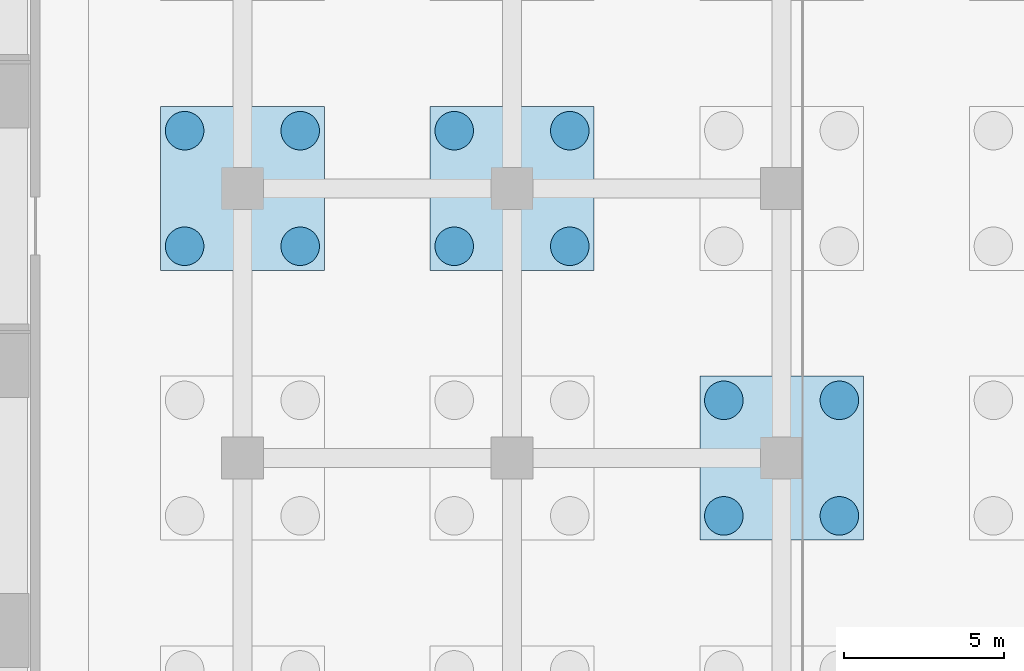
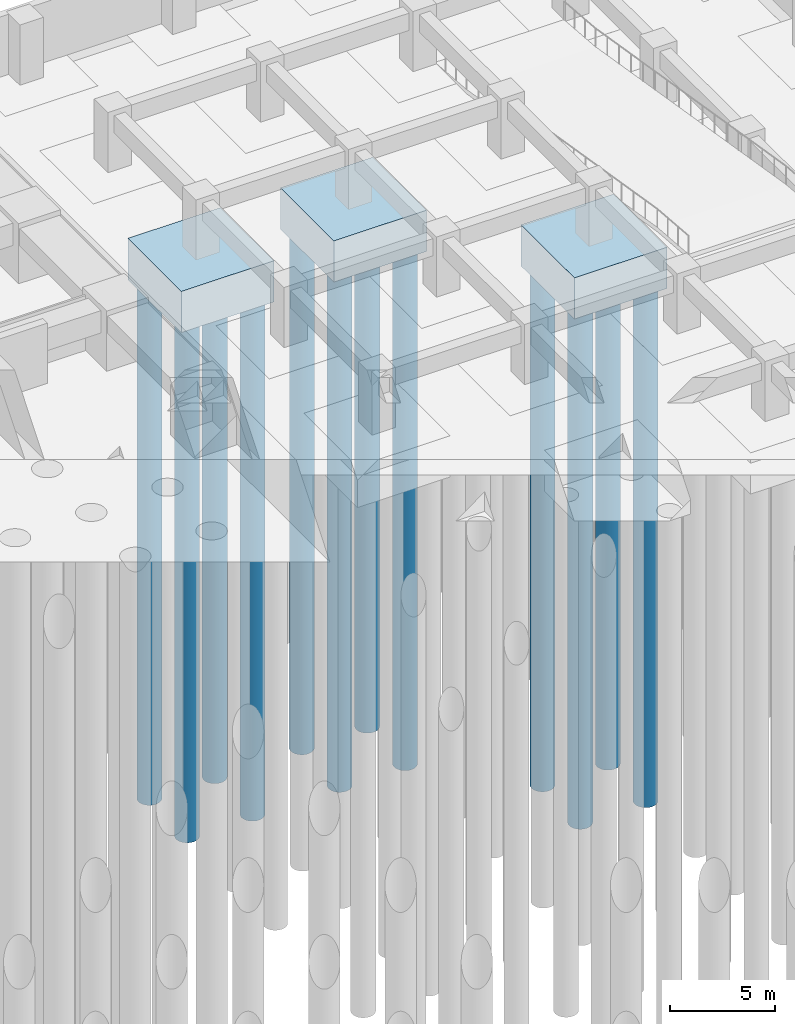
# One storey, part 42 of 73: 12 piles, 3 footings.
"""IFC4 building model written with IfcOpenShell, lengths in metres."""

from ifc_helpers import new_model, si_unit, direction, frame, origin, origin_2d, place, context, subcontext, project, spatial, polyline, circle, outline, extrude, material, material_profile, profile_set, type_object, element, save


model = new_model("IFC4")

# Units and contexts
model_context = context("Model", 3, precision=1e-05, world=origin(), true_north=direction((0.0, 1.0)))
body_context = subcontext(model_context, "Body", "Model", "MODEL_VIEW")
ifc_project = project(units=[si_unit("LENGTHUNIT", "METRE"), si_unit("AREAUNIT", "SQUARE_METRE"), si_unit("VOLUMEUNIT", "CUBIC_METRE"), si_unit("PLANEANGLEUNIT", "RADIAN"), si_unit("MASSUNIT", "GRAM", prefix="KILO")], contexts=[model_context])

# Site, building, storey
site_placement = place(None, origin())
site = spatial("IfcSite", under=ifc_project, at=site_placement, CompositionType="ELEMENT")
building_placement = place(site_placement, origin())
building = spatial("IfcBuilding", under=site, at=building_placement, Name="Impinga Residences", CompositionType="ELEMENT")
storey_placement = place(building_placement, frame((0.0, 0.0, -10.5)))
storey = spatial("IfcBuildingStorey", under=building, at=storey_placement, Name="B3", CompositionType="ELEMENT", Elevation=-10.5)

# Piles
ifc_material_1 = material(Name="Concrete C35/45", Category="concrete")
ifc_material_profile = material_profile(ifc_material_1, circle(Radius=0.60009765625, at=origin_2d()), Name="D1200")
ifc_profile_set = profile_set([ifc_material_profile], Name="Concrete C35/45")
pile_type = type_object("IfcPileType", Name="BP2 bored pile D1200", PredefinedType="BORED", material=ifc_profile_set)
pile_1_placement = place(storey_placement, frame((15.0, 31.800048828125, -2.39990234375), z_axis=(0.0, 0.0, -1.0), x_axis=(1.0, 0.0, 0.0)))
element("IfcPile", 1, at=pile_1_placement, inside=storey, type_object=pile_type, Name="Cap pile BP2 9/K-1", PredefinedType="BORED", context=body_context, shape_type="SweptSolid", body=[
    extrude(outline(polyline([(0.60009765625, 0.0), (0.59716796875, 0.058837890625), (0.58837890625, 0.116943359375), (0.57421875, 0.174072265625), (0.554443359375, 0.2294921875), (0.529052734375, 0.282958984375), (0.498779296875, 0.333251953125), (0.4638671875, 0.380615234375), (0.42431640625, 0.42431640625), (0.380615234375, 0.4638671875), (0.333251953125, 0.498779296875), (0.282958984375, 0.529052734375), (0.2294921875, 0.554443359375), (0.174072265625, 0.57421875), (0.116943359375, 0.58837890625), (0.058837890625, 0.59716796875), (0.0, 0.60009765625), (-0.058837890625, 0.59716796875), (-0.116943359375, 0.58837890625), (-0.174072265625, 0.57421875), (-0.2294921875, 0.554443359375), (-0.282958984375, 0.529052734375), (-0.333251953125, 0.498779296875), (-0.380615234375, 0.4638671875), (-0.42431640625, 0.42431640625), (-0.4638671875, 0.380615234375), (-0.498779296875, 0.333251953125), (-0.529052734375, 0.282958984375), (-0.554443359375, 0.2294921875), (-0.57421875, 0.174072265625), (-0.58837890625, 0.116943359375), (-0.59716796875, 0.058837890625), (-0.60009765625, 0.0), (-0.59716796875, -0.058837890625), (-0.58837890625, -0.116943359375), (-0.57421875, -0.174072265625), (-0.554443359375, -0.2294921875), (-0.529052734375, -0.282958984375), (-0.498779296875, -0.333251953125), (-0.4638671875, -0.380615234375), (-0.42431640625, -0.42431640625), (-0.380615234375, -0.4638671875), (-0.333251953125, -0.498779296875), (-0.282958984375, -0.529052734375), (-0.2294921875, -0.554443359375), (-0.174072265625, -0.57421875), (-0.116943359375, -0.58837890625), (-0.058837890625, -0.59716796875), (0.0, -0.60009765625), (0.058837890625, -0.59716796875), (0.116943359375, -0.58837890625), (0.174072265625, -0.57421875), (0.2294921875, -0.554443359375), (0.282958984375, -0.529052734375), (0.333251953125, -0.498779296875), (0.380615234375, -0.4638671875), (0.42431640625, -0.42431640625), (0.4638671875, -0.380615234375), (0.498779296875, -0.333251953125), (0.529052734375, -0.282958984375), (0.554443359375, -0.2294921875), (0.57421875, -0.174072265625), (0.58837890625, -0.116943359375), (0.59716796875, -0.058837890625), (0.60009765625, 0.0)])), origin(), (0.0, 0.0, 1.0), 30.0),
])
pile_2_placement = place(storey_placement, frame((18.60009765625, 31.800048828125, -2.39990234375), z_axis=(0.0, 0.0, -1.0), x_axis=(1.0, 0.0, 0.0)))
element("IfcPile", 2, at=pile_2_placement, inside=storey, type_object=pile_type, Name="Cap pile BP2 9/K-2", PredefinedType="BORED", context=body_context, shape_type="SweptSolid", body=[
    extrude(outline(polyline([(0.60009765625, 0.0), (0.59716796875, 0.058837890625), (0.58837890625, 0.116943359375), (0.57421875, 0.174072265625), (0.554443359375, 0.2294921875), (0.529052734375, 0.282958984375), (0.498779296875, 0.333251953125), (0.4638671875, 0.380615234375), (0.42431640625, 0.42431640625), (0.380615234375, 0.4638671875), (0.333251953125, 0.498779296875), (0.282958984375, 0.529052734375), (0.2294921875, 0.554443359375), (0.174072265625, 0.57421875), (0.116943359375, 0.58837890625), (0.058837890625, 0.59716796875), (0.0, 0.60009765625), (-0.058837890625, 0.59716796875), (-0.116943359375, 0.58837890625), (-0.174072265625, 0.57421875), (-0.2294921875, 0.554443359375), (-0.282958984375, 0.529052734375), (-0.333251953125, 0.498779296875), (-0.380615234375, 0.4638671875), (-0.42431640625, 0.42431640625), (-0.4638671875, 0.380615234375), (-0.498779296875, 0.333251953125), (-0.529052734375, 0.282958984375), (-0.554443359375, 0.2294921875), (-0.57421875, 0.174072265625), (-0.58837890625, 0.116943359375), (-0.59716796875, 0.058837890625), (-0.60009765625, 0.0), (-0.59716796875, -0.058837890625), (-0.58837890625, -0.116943359375), (-0.57421875, -0.174072265625), (-0.554443359375, -0.2294921875), (-0.529052734375, -0.282958984375), (-0.498779296875, -0.333251953125), (-0.4638671875, -0.380615234375), (-0.42431640625, -0.42431640625), (-0.380615234375, -0.4638671875), (-0.333251953125, -0.498779296875), (-0.282958984375, -0.529052734375), (-0.2294921875, -0.554443359375), (-0.174072265625, -0.57421875), (-0.116943359375, -0.58837890625), (-0.058837890625, -0.59716796875), (0.0, -0.60009765625), (0.058837890625, -0.59716796875), (0.116943359375, -0.58837890625), (0.174072265625, -0.57421875), (0.2294921875, -0.554443359375), (0.282958984375, -0.529052734375), (0.333251953125, -0.498779296875), (0.380615234375, -0.4638671875), (0.42431640625, -0.42431640625), (0.4638671875, -0.380615234375), (0.498779296875, -0.333251953125), (0.529052734375, -0.282958984375), (0.554443359375, -0.2294921875), (0.57421875, -0.174072265625), (0.58837890625, -0.116943359375), (0.59716796875, -0.058837890625), (0.60009765625, 0.0)])), origin(), (0.0, 0.0, 1.0), 30.0),
])
pile_3_placement = place(storey_placement, frame((18.60009765625, 35.39990234375, -2.39990234375), z_axis=(0.0, 0.0, -1.0), x_axis=(1.0, 0.0, 0.0)))
element("IfcPile", 3, at=pile_3_placement, inside=storey, type_object=pile_type, Name="Cap pile BP2 9/K-3", PredefinedType="BORED", context=body_context, shape_type="SweptSolid", body=[
    extrude(outline(polyline([(0.60009765625, 0.0), (0.59716796875, 0.058837890625), (0.58837890625, 0.116943359375), (0.57421875, 0.174072265625), (0.554443359375, 0.2294921875), (0.529052734375, 0.282958984375), (0.498779296875, 0.333251953125), (0.4638671875, 0.380615234375), (0.42431640625, 0.42431640625), (0.380615234375, 0.4638671875), (0.333251953125, 0.498779296875), (0.282958984375, 0.529052734375), (0.2294921875, 0.554443359375), (0.174072265625, 0.57421875), (0.116943359375, 0.58837890625), (0.058837890625, 0.59716796875), (0.0, 0.60009765625), (-0.058837890625, 0.59716796875), (-0.116943359375, 0.58837890625), (-0.174072265625, 0.57421875), (-0.2294921875, 0.554443359375), (-0.282958984375, 0.529052734375), (-0.333251953125, 0.498779296875), (-0.380615234375, 0.4638671875), (-0.42431640625, 0.42431640625), (-0.4638671875, 0.380615234375), (-0.498779296875, 0.333251953125), (-0.529052734375, 0.282958984375), (-0.554443359375, 0.2294921875), (-0.57421875, 0.174072265625), (-0.58837890625, 0.116943359375), (-0.59716796875, 0.058837890625), (-0.60009765625, 0.0), (-0.59716796875, -0.058837890625), (-0.58837890625, -0.116943359375), (-0.57421875, -0.174072265625), (-0.554443359375, -0.2294921875), (-0.529052734375, -0.282958984375), (-0.498779296875, -0.333251953125), (-0.4638671875, -0.380615234375), (-0.42431640625, -0.42431640625), (-0.380615234375, -0.4638671875), (-0.333251953125, -0.498779296875), (-0.282958984375, -0.529052734375), (-0.2294921875, -0.554443359375), (-0.174072265625, -0.57421875), (-0.116943359375, -0.58837890625), (-0.058837890625, -0.59716796875), (0.0, -0.60009765625), (0.058837890625, -0.59716796875), (0.116943359375, -0.58837890625), (0.174072265625, -0.57421875), (0.2294921875, -0.554443359375), (0.282958984375, -0.529052734375), (0.333251953125, -0.498779296875), (0.380615234375, -0.4638671875), (0.42431640625, -0.42431640625), (0.4638671875, -0.380615234375), (0.498779296875, -0.333251953125), (0.529052734375, -0.282958984375), (0.554443359375, -0.2294921875), (0.57421875, -0.174072265625), (0.58837890625, -0.116943359375), (0.59716796875, -0.058837890625), (0.60009765625, 0.0)])), origin(), (0.0, 0.0, 1.0), 30.0),
])
pile_4_placement = place(storey_placement, frame((15.0, 35.39990234375, -2.39990234375), z_axis=(0.0, 0.0, -1.0), x_axis=(1.0, 0.0, 0.0)))
element("IfcPile", 4, at=pile_4_placement, inside=storey, type_object=pile_type, Name="Cap pile BP2 9/K-4", PredefinedType="BORED", context=body_context, shape_type="SweptSolid", body=[
    extrude(outline(polyline([(0.60009765625, 0.0), (0.59716796875, 0.058837890625), (0.58837890625, 0.116943359375), (0.57421875, 0.174072265625), (0.554443359375, 0.2294921875), (0.529052734375, 0.282958984375), (0.498779296875, 0.333251953125), (0.4638671875, 0.380615234375), (0.42431640625, 0.42431640625), (0.380615234375, 0.4638671875), (0.333251953125, 0.498779296875), (0.282958984375, 0.529052734375), (0.2294921875, 0.554443359375), (0.174072265625, 0.57421875), (0.116943359375, 0.58837890625), (0.058837890625, 0.59716796875), (0.0, 0.60009765625), (-0.058837890625, 0.59716796875), (-0.116943359375, 0.58837890625), (-0.174072265625, 0.57421875), (-0.2294921875, 0.554443359375), (-0.282958984375, 0.529052734375), (-0.333251953125, 0.498779296875), (-0.380615234375, 0.4638671875), (-0.42431640625, 0.42431640625), (-0.4638671875, 0.380615234375), (-0.498779296875, 0.333251953125), (-0.529052734375, 0.282958984375), (-0.554443359375, 0.2294921875), (-0.57421875, 0.174072265625), (-0.58837890625, 0.116943359375), (-0.59716796875, 0.058837890625), (-0.60009765625, 0.0), (-0.59716796875, -0.058837890625), (-0.58837890625, -0.116943359375), (-0.57421875, -0.174072265625), (-0.554443359375, -0.2294921875), (-0.529052734375, -0.282958984375), (-0.498779296875, -0.333251953125), (-0.4638671875, -0.380615234375), (-0.42431640625, -0.42431640625), (-0.380615234375, -0.4638671875), (-0.333251953125, -0.498779296875), (-0.282958984375, -0.529052734375), (-0.2294921875, -0.554443359375), (-0.174072265625, -0.57421875), (-0.116943359375, -0.58837890625), (-0.058837890625, -0.59716796875), (0.0, -0.60009765625), (0.058837890625, -0.59716796875), (0.116943359375, -0.58837890625), (0.174072265625, -0.57421875), (0.2294921875, -0.554443359375), (0.282958984375, -0.529052734375), (0.333251953125, -0.498779296875), (0.380615234375, -0.4638671875), (0.42431640625, -0.42431640625), (0.4638671875, -0.380615234375), (0.498779296875, -0.333251953125), (0.529052734375, -0.282958984375), (0.554443359375, -0.2294921875), (0.57421875, -0.174072265625), (0.58837890625, -0.116943359375), (0.59716796875, -0.058837890625), (0.60009765625, 0.0)])), origin(), (0.0, 0.0, 1.0), 30.0),
])
pile_5_placement = place(storey_placement, frame((23.39990234375, 31.800048828125, -2.39990234375), z_axis=(0.0, 0.0, -1.0), x_axis=(1.0, 0.0, 0.0)))
element("IfcPile", 5, at=pile_5_placement, inside=storey, type_object=pile_type, Name="Cap pile BP2 10/K-1", PredefinedType="BORED", context=body_context, shape_type="SweptSolid", body=[
    extrude(outline(polyline([(0.60009765625, 0.0), (0.59716796875, 0.058837890625), (0.58837890625, 0.116943359375), (0.57421875, 0.174072265625), (0.554443359375, 0.2294921875), (0.529052734375, 0.282958984375), (0.498779296875, 0.333251953125), (0.4638671875, 0.380615234375), (0.42431640625, 0.42431640625), (0.380615234375, 0.4638671875), (0.333251953125, 0.498779296875), (0.282958984375, 0.529052734375), (0.2294921875, 0.554443359375), (0.174072265625, 0.57421875), (0.116943359375, 0.58837890625), (0.058837890625, 0.59716796875), (0.0, 0.60009765625), (-0.058837890625, 0.59716796875), (-0.116943359375, 0.58837890625), (-0.174072265625, 0.57421875), (-0.2294921875, 0.554443359375), (-0.282958984375, 0.529052734375), (-0.333251953125, 0.498779296875), (-0.380615234375, 0.4638671875), (-0.42431640625, 0.42431640625), (-0.4638671875, 0.380615234375), (-0.498779296875, 0.333251953125), (-0.529052734375, 0.282958984375), (-0.554443359375, 0.2294921875), (-0.57421875, 0.174072265625), (-0.58837890625, 0.116943359375), (-0.59716796875, 0.058837890625), (-0.60009765625, 0.0), (-0.59716796875, -0.058837890625), (-0.58837890625, -0.116943359375), (-0.57421875, -0.174072265625), (-0.554443359375, -0.2294921875), (-0.529052734375, -0.282958984375), (-0.498779296875, -0.333251953125), (-0.4638671875, -0.380615234375), (-0.42431640625, -0.42431640625), (-0.380615234375, -0.4638671875), (-0.333251953125, -0.498779296875), (-0.282958984375, -0.529052734375), (-0.2294921875, -0.554443359375), (-0.174072265625, -0.57421875), (-0.116943359375, -0.58837890625), (-0.058837890625, -0.59716796875), (0.0, -0.60009765625), (0.058837890625, -0.59716796875), (0.116943359375, -0.58837890625), (0.174072265625, -0.57421875), (0.2294921875, -0.554443359375), (0.282958984375, -0.529052734375), (0.333251953125, -0.498779296875), (0.380615234375, -0.4638671875), (0.42431640625, -0.42431640625), (0.4638671875, -0.380615234375), (0.498779296875, -0.333251953125), (0.529052734375, -0.282958984375), (0.554443359375, -0.2294921875), (0.57421875, -0.174072265625), (0.58837890625, -0.116943359375), (0.59716796875, -0.058837890625), (0.60009765625, 0.0)])), origin(), (0.0, 0.0, 1.0), 30.0),
])
pile_6_placement = place(storey_placement, frame((27.0, 31.800048828125, -2.39990234375), z_axis=(0.0, 0.0, -1.0), x_axis=(1.0, 0.0, 0.0)))
element("IfcPile", 6, at=pile_6_placement, inside=storey, type_object=pile_type, Name="Cap pile BP2 10/K-2", PredefinedType="BORED", context=body_context, shape_type="SweptSolid", body=[
    extrude(outline(polyline([(0.60009765625, 0.0), (0.59716796875, 0.058837890625), (0.58837890625, 0.116943359375), (0.57421875, 0.174072265625), (0.554443359375, 0.2294921875), (0.529052734375, 0.282958984375), (0.498779296875, 0.333251953125), (0.4638671875, 0.380615234375), (0.42431640625, 0.42431640625), (0.380615234375, 0.4638671875), (0.333251953125, 0.498779296875), (0.282958984375, 0.529052734375), (0.2294921875, 0.554443359375), (0.174072265625, 0.57421875), (0.116943359375, 0.58837890625), (0.058837890625, 0.59716796875), (0.0, 0.60009765625), (-0.058837890625, 0.59716796875), (-0.116943359375, 0.58837890625), (-0.174072265625, 0.57421875), (-0.2294921875, 0.554443359375), (-0.282958984375, 0.529052734375), (-0.333251953125, 0.498779296875), (-0.380615234375, 0.4638671875), (-0.42431640625, 0.42431640625), (-0.4638671875, 0.380615234375), (-0.498779296875, 0.333251953125), (-0.529052734375, 0.282958984375), (-0.554443359375, 0.2294921875), (-0.57421875, 0.174072265625), (-0.58837890625, 0.116943359375), (-0.59716796875, 0.058837890625), (-0.60009765625, 0.0), (-0.59716796875, -0.058837890625), (-0.58837890625, -0.116943359375), (-0.57421875, -0.174072265625), (-0.554443359375, -0.2294921875), (-0.529052734375, -0.282958984375), (-0.498779296875, -0.333251953125), (-0.4638671875, -0.380615234375), (-0.42431640625, -0.42431640625), (-0.380615234375, -0.4638671875), (-0.333251953125, -0.498779296875), (-0.282958984375, -0.529052734375), (-0.2294921875, -0.554443359375), (-0.174072265625, -0.57421875), (-0.116943359375, -0.58837890625), (-0.058837890625, -0.59716796875), (0.0, -0.60009765625), (0.058837890625, -0.59716796875), (0.116943359375, -0.58837890625), (0.174072265625, -0.57421875), (0.2294921875, -0.554443359375), (0.282958984375, -0.529052734375), (0.333251953125, -0.498779296875), (0.380615234375, -0.4638671875), (0.42431640625, -0.42431640625), (0.4638671875, -0.380615234375), (0.498779296875, -0.333251953125), (0.529052734375, -0.282958984375), (0.554443359375, -0.2294921875), (0.57421875, -0.174072265625), (0.58837890625, -0.116943359375), (0.59716796875, -0.058837890625), (0.60009765625, 0.0)])), origin(), (0.0, 0.0, 1.0), 30.0),
])
pile_7_placement = place(storey_placement, frame((27.0, 35.39990234375, -2.39990234375), z_axis=(0.0, 0.0, -1.0), x_axis=(1.0, 0.0, 0.0)))
element("IfcPile", 7, at=pile_7_placement, inside=storey, type_object=pile_type, Name="Cap pile BP2 10/K-3", PredefinedType="BORED", context=body_context, shape_type="SweptSolid", body=[
    extrude(outline(polyline([(0.60009765625, 0.0), (0.59716796875, 0.058837890625), (0.58837890625, 0.116943359375), (0.57421875, 0.174072265625), (0.554443359375, 0.2294921875), (0.529052734375, 0.282958984375), (0.498779296875, 0.333251953125), (0.4638671875, 0.380615234375), (0.42431640625, 0.42431640625), (0.380615234375, 0.4638671875), (0.333251953125, 0.498779296875), (0.282958984375, 0.529052734375), (0.2294921875, 0.554443359375), (0.174072265625, 0.57421875), (0.116943359375, 0.58837890625), (0.058837890625, 0.59716796875), (0.0, 0.60009765625), (-0.058837890625, 0.59716796875), (-0.116943359375, 0.58837890625), (-0.174072265625, 0.57421875), (-0.2294921875, 0.554443359375), (-0.282958984375, 0.529052734375), (-0.333251953125, 0.498779296875), (-0.380615234375, 0.4638671875), (-0.42431640625, 0.42431640625), (-0.4638671875, 0.380615234375), (-0.498779296875, 0.333251953125), (-0.529052734375, 0.282958984375), (-0.554443359375, 0.2294921875), (-0.57421875, 0.174072265625), (-0.58837890625, 0.116943359375), (-0.59716796875, 0.058837890625), (-0.60009765625, 0.0), (-0.59716796875, -0.058837890625), (-0.58837890625, -0.116943359375), (-0.57421875, -0.174072265625), (-0.554443359375, -0.2294921875), (-0.529052734375, -0.282958984375), (-0.498779296875, -0.333251953125), (-0.4638671875, -0.380615234375), (-0.42431640625, -0.42431640625), (-0.380615234375, -0.4638671875), (-0.333251953125, -0.498779296875), (-0.282958984375, -0.529052734375), (-0.2294921875, -0.554443359375), (-0.174072265625, -0.57421875), (-0.116943359375, -0.58837890625), (-0.058837890625, -0.59716796875), (0.0, -0.60009765625), (0.058837890625, -0.59716796875), (0.116943359375, -0.58837890625), (0.174072265625, -0.57421875), (0.2294921875, -0.554443359375), (0.282958984375, -0.529052734375), (0.333251953125, -0.498779296875), (0.380615234375, -0.4638671875), (0.42431640625, -0.42431640625), (0.4638671875, -0.380615234375), (0.498779296875, -0.333251953125), (0.529052734375, -0.282958984375), (0.554443359375, -0.2294921875), (0.57421875, -0.174072265625), (0.58837890625, -0.116943359375), (0.59716796875, -0.058837890625), (0.60009765625, 0.0)])), origin(), (0.0, 0.0, 1.0), 30.0),
])
pile_8_placement = place(storey_placement, frame((23.39990234375, 35.39990234375, -2.39990234375), z_axis=(0.0, 0.0, -1.0), x_axis=(1.0, 0.0, 0.0)))
element("IfcPile", 8, at=pile_8_placement, inside=storey, type_object=pile_type, Name="Cap pile BP2 10/K-4", PredefinedType="BORED", context=body_context, shape_type="SweptSolid", body=[
    extrude(outline(polyline([(0.60009765625, 0.0), (0.59716796875, 0.058837890625), (0.58837890625, 0.116943359375), (0.57421875, 0.174072265625), (0.554443359375, 0.2294921875), (0.529052734375, 0.282958984375), (0.498779296875, 0.333251953125), (0.4638671875, 0.380615234375), (0.42431640625, 0.42431640625), (0.380615234375, 0.4638671875), (0.333251953125, 0.498779296875), (0.282958984375, 0.529052734375), (0.2294921875, 0.554443359375), (0.174072265625, 0.57421875), (0.116943359375, 0.58837890625), (0.058837890625, 0.59716796875), (0.0, 0.60009765625), (-0.058837890625, 0.59716796875), (-0.116943359375, 0.58837890625), (-0.174072265625, 0.57421875), (-0.2294921875, 0.554443359375), (-0.282958984375, 0.529052734375), (-0.333251953125, 0.498779296875), (-0.380615234375, 0.4638671875), (-0.42431640625, 0.42431640625), (-0.4638671875, 0.380615234375), (-0.498779296875, 0.333251953125), (-0.529052734375, 0.282958984375), (-0.554443359375, 0.2294921875), (-0.57421875, 0.174072265625), (-0.58837890625, 0.116943359375), (-0.59716796875, 0.058837890625), (-0.60009765625, 0.0), (-0.59716796875, -0.058837890625), (-0.58837890625, -0.116943359375), (-0.57421875, -0.174072265625), (-0.554443359375, -0.2294921875), (-0.529052734375, -0.282958984375), (-0.498779296875, -0.333251953125), (-0.4638671875, -0.380615234375), (-0.42431640625, -0.42431640625), (-0.380615234375, -0.4638671875), (-0.333251953125, -0.498779296875), (-0.282958984375, -0.529052734375), (-0.2294921875, -0.554443359375), (-0.174072265625, -0.57421875), (-0.116943359375, -0.58837890625), (-0.058837890625, -0.59716796875), (0.0, -0.60009765625), (0.058837890625, -0.59716796875), (0.116943359375, -0.58837890625), (0.174072265625, -0.57421875), (0.2294921875, -0.554443359375), (0.282958984375, -0.529052734375), (0.333251953125, -0.498779296875), (0.380615234375, -0.4638671875), (0.42431640625, -0.42431640625), (0.4638671875, -0.380615234375), (0.498779296875, -0.333251953125), (0.529052734375, -0.282958984375), (0.554443359375, -0.2294921875), (0.57421875, -0.174072265625), (0.58837890625, -0.116943359375), (0.59716796875, -0.058837890625), (0.60009765625, 0.0)])), origin(), (0.0, 0.0, 1.0), 30.0),
])
pile_9_placement = place(storey_placement, frame((31.800048828125, 23.39990234375, -2.39990234375), z_axis=(0.0, 0.0, -1.0), x_axis=(1.0, 0.0, 0.0)))
element("IfcPile", 9, at=pile_9_placement, inside=storey, type_object=pile_type, Name="Cap pile BP2 11/J-1", PredefinedType="BORED", context=body_context, shape_type="SweptSolid", body=[
    extrude(outline(polyline([(0.60009765625, 0.0), (0.59716796875, 0.058837890625), (0.58837890625, 0.116943359375), (0.57421875, 0.174072265625), (0.554443359375, 0.2294921875), (0.529052734375, 0.282958984375), (0.498779296875, 0.333251953125), (0.4638671875, 0.380615234375), (0.42431640625, 0.42431640625), (0.380615234375, 0.4638671875), (0.333251953125, 0.498779296875), (0.282958984375, 0.529052734375), (0.2294921875, 0.554443359375), (0.174072265625, 0.57421875), (0.116943359375, 0.58837890625), (0.058837890625, 0.59716796875), (0.0, 0.60009765625), (-0.058837890625, 0.59716796875), (-0.116943359375, 0.58837890625), (-0.174072265625, 0.57421875), (-0.2294921875, 0.554443359375), (-0.282958984375, 0.529052734375), (-0.333251953125, 0.498779296875), (-0.380615234375, 0.4638671875), (-0.42431640625, 0.42431640625), (-0.4638671875, 0.380615234375), (-0.498779296875, 0.333251953125), (-0.529052734375, 0.282958984375), (-0.554443359375, 0.2294921875), (-0.57421875, 0.174072265625), (-0.58837890625, 0.116943359375), (-0.59716796875, 0.058837890625), (-0.60009765625, 0.0), (-0.59716796875, -0.058837890625), (-0.58837890625, -0.116943359375), (-0.57421875, -0.174072265625), (-0.554443359375, -0.2294921875), (-0.529052734375, -0.282958984375), (-0.498779296875, -0.333251953125), (-0.4638671875, -0.380615234375), (-0.42431640625, -0.42431640625), (-0.380615234375, -0.4638671875), (-0.333251953125, -0.498779296875), (-0.282958984375, -0.529052734375), (-0.2294921875, -0.554443359375), (-0.174072265625, -0.57421875), (-0.116943359375, -0.58837890625), (-0.058837890625, -0.59716796875), (0.0, -0.60009765625), (0.058837890625, -0.59716796875), (0.116943359375, -0.58837890625), (0.174072265625, -0.57421875), (0.2294921875, -0.554443359375), (0.282958984375, -0.529052734375), (0.333251953125, -0.498779296875), (0.380615234375, -0.4638671875), (0.42431640625, -0.42431640625), (0.4638671875, -0.380615234375), (0.498779296875, -0.333251953125), (0.529052734375, -0.282958984375), (0.554443359375, -0.2294921875), (0.57421875, -0.174072265625), (0.58837890625, -0.116943359375), (0.59716796875, -0.058837890625), (0.60009765625, 0.0)])), origin(), (0.0, 0.0, 1.0), 30.0),
])
pile_10_placement = place(storey_placement, frame((35.39990234375, 23.39990234375, -2.39990234375), z_axis=(0.0, 0.0, -1.0), x_axis=(1.0, 0.0, 0.0)))
element("IfcPile", 10, at=pile_10_placement, inside=storey, type_object=pile_type, Name="Cap pile BP2 11/J-2", PredefinedType="BORED", context=body_context, shape_type="SweptSolid", body=[
    extrude(outline(polyline([(0.60009765625, 0.0), (0.59716796875, 0.058837890625), (0.58837890625, 0.116943359375), (0.57421875, 0.174072265625), (0.554443359375, 0.2294921875), (0.529052734375, 0.282958984375), (0.498779296875, 0.333251953125), (0.4638671875, 0.380615234375), (0.42431640625, 0.42431640625), (0.380615234375, 0.4638671875), (0.333251953125, 0.498779296875), (0.282958984375, 0.529052734375), (0.2294921875, 0.554443359375), (0.174072265625, 0.57421875), (0.116943359375, 0.58837890625), (0.058837890625, 0.59716796875), (0.0, 0.60009765625), (-0.058837890625, 0.59716796875), (-0.116943359375, 0.58837890625), (-0.174072265625, 0.57421875), (-0.2294921875, 0.554443359375), (-0.282958984375, 0.529052734375), (-0.333251953125, 0.498779296875), (-0.380615234375, 0.4638671875), (-0.42431640625, 0.42431640625), (-0.4638671875, 0.380615234375), (-0.498779296875, 0.333251953125), (-0.529052734375, 0.282958984375), (-0.554443359375, 0.2294921875), (-0.57421875, 0.174072265625), (-0.58837890625, 0.116943359375), (-0.59716796875, 0.058837890625), (-0.60009765625, 0.0), (-0.59716796875, -0.058837890625), (-0.58837890625, -0.116943359375), (-0.57421875, -0.174072265625), (-0.554443359375, -0.2294921875), (-0.529052734375, -0.282958984375), (-0.498779296875, -0.333251953125), (-0.4638671875, -0.380615234375), (-0.42431640625, -0.42431640625), (-0.380615234375, -0.4638671875), (-0.333251953125, -0.498779296875), (-0.282958984375, -0.529052734375), (-0.2294921875, -0.554443359375), (-0.174072265625, -0.57421875), (-0.116943359375, -0.58837890625), (-0.058837890625, -0.59716796875), (0.0, -0.60009765625), (0.058837890625, -0.59716796875), (0.116943359375, -0.58837890625), (0.174072265625, -0.57421875), (0.2294921875, -0.554443359375), (0.282958984375, -0.529052734375), (0.333251953125, -0.498779296875), (0.380615234375, -0.4638671875), (0.42431640625, -0.42431640625), (0.4638671875, -0.380615234375), (0.498779296875, -0.333251953125), (0.529052734375, -0.282958984375), (0.554443359375, -0.2294921875), (0.57421875, -0.174072265625), (0.58837890625, -0.116943359375), (0.59716796875, -0.058837890625), (0.60009765625, 0.0)])), origin(), (0.0, 0.0, 1.0), 30.0),
])
pile_11_placement = place(storey_placement, frame((35.39990234375, 27.0, -2.39990234375), z_axis=(0.0, 0.0, -1.0), x_axis=(1.0, 0.0, 0.0)))
element("IfcPile", 11, at=pile_11_placement, inside=storey, type_object=pile_type, Name="Cap pile BP2 11/J-3", PredefinedType="BORED", context=body_context, shape_type="SweptSolid", body=[
    extrude(outline(polyline([(0.60009765625, 0.0), (0.59716796875, 0.058837890625), (0.58837890625, 0.116943359375), (0.57421875, 0.174072265625), (0.554443359375, 0.2294921875), (0.529052734375, 0.282958984375), (0.498779296875, 0.333251953125), (0.4638671875, 0.380615234375), (0.42431640625, 0.42431640625), (0.380615234375, 0.4638671875), (0.333251953125, 0.498779296875), (0.282958984375, 0.529052734375), (0.2294921875, 0.554443359375), (0.174072265625, 0.57421875), (0.116943359375, 0.58837890625), (0.058837890625, 0.59716796875), (0.0, 0.60009765625), (-0.058837890625, 0.59716796875), (-0.116943359375, 0.58837890625), (-0.174072265625, 0.57421875), (-0.2294921875, 0.554443359375), (-0.282958984375, 0.529052734375), (-0.333251953125, 0.498779296875), (-0.380615234375, 0.4638671875), (-0.42431640625, 0.42431640625), (-0.4638671875, 0.380615234375), (-0.498779296875, 0.333251953125), (-0.529052734375, 0.282958984375), (-0.554443359375, 0.2294921875), (-0.57421875, 0.174072265625), (-0.58837890625, 0.116943359375), (-0.59716796875, 0.058837890625), (-0.60009765625, 0.0), (-0.59716796875, -0.058837890625), (-0.58837890625, -0.116943359375), (-0.57421875, -0.174072265625), (-0.554443359375, -0.2294921875), (-0.529052734375, -0.282958984375), (-0.498779296875, -0.333251953125), (-0.4638671875, -0.380615234375), (-0.42431640625, -0.42431640625), (-0.380615234375, -0.4638671875), (-0.333251953125, -0.498779296875), (-0.282958984375, -0.529052734375), (-0.2294921875, -0.554443359375), (-0.174072265625, -0.57421875), (-0.116943359375, -0.58837890625), (-0.058837890625, -0.59716796875), (0.0, -0.60009765625), (0.058837890625, -0.59716796875), (0.116943359375, -0.58837890625), (0.174072265625, -0.57421875), (0.2294921875, -0.554443359375), (0.282958984375, -0.529052734375), (0.333251953125, -0.498779296875), (0.380615234375, -0.4638671875), (0.42431640625, -0.42431640625), (0.4638671875, -0.380615234375), (0.498779296875, -0.333251953125), (0.529052734375, -0.282958984375), (0.554443359375, -0.2294921875), (0.57421875, -0.174072265625), (0.58837890625, -0.116943359375), (0.59716796875, -0.058837890625), (0.60009765625, 0.0)])), origin(), (0.0, 0.0, 1.0), 30.0),
])
pile_12_placement = place(storey_placement, frame((31.800048828125, 27.0, -2.39990234375), z_axis=(0.0, 0.0, -1.0), x_axis=(1.0, 0.0, 0.0)))
element("IfcPile", 12, at=pile_12_placement, inside=storey, type_object=pile_type, Name="Cap pile BP2 11/J-4", PredefinedType="BORED", context=body_context, shape_type="SweptSolid", body=[
    extrude(outline(polyline([(0.60009765625, 0.0), (0.59716796875, 0.058837890625), (0.58837890625, 0.116943359375), (0.57421875, 0.174072265625), (0.554443359375, 0.2294921875), (0.529052734375, 0.282958984375), (0.498779296875, 0.333251953125), (0.4638671875, 0.380615234375), (0.42431640625, 0.42431640625), (0.380615234375, 0.4638671875), (0.333251953125, 0.498779296875), (0.282958984375, 0.529052734375), (0.2294921875, 0.554443359375), (0.174072265625, 0.57421875), (0.116943359375, 0.58837890625), (0.058837890625, 0.59716796875), (0.0, 0.60009765625), (-0.058837890625, 0.59716796875), (-0.116943359375, 0.58837890625), (-0.174072265625, 0.57421875), (-0.2294921875, 0.554443359375), (-0.282958984375, 0.529052734375), (-0.333251953125, 0.498779296875), (-0.380615234375, 0.4638671875), (-0.42431640625, 0.42431640625), (-0.4638671875, 0.380615234375), (-0.498779296875, 0.333251953125), (-0.529052734375, 0.282958984375), (-0.554443359375, 0.2294921875), (-0.57421875, 0.174072265625), (-0.58837890625, 0.116943359375), (-0.59716796875, 0.058837890625), (-0.60009765625, 0.0), (-0.59716796875, -0.058837890625), (-0.58837890625, -0.116943359375), (-0.57421875, -0.174072265625), (-0.554443359375, -0.2294921875), (-0.529052734375, -0.282958984375), (-0.498779296875, -0.333251953125), (-0.4638671875, -0.380615234375), (-0.42431640625, -0.42431640625), (-0.380615234375, -0.4638671875), (-0.333251953125, -0.498779296875), (-0.282958984375, -0.529052734375), (-0.2294921875, -0.554443359375), (-0.174072265625, -0.57421875), (-0.116943359375, -0.58837890625), (-0.058837890625, -0.59716796875), (0.0, -0.60009765625), (0.058837890625, -0.59716796875), (0.116943359375, -0.58837890625), (0.174072265625, -0.57421875), (0.2294921875, -0.554443359375), (0.282958984375, -0.529052734375), (0.333251953125, -0.498779296875), (0.380615234375, -0.4638671875), (0.42431640625, -0.42431640625), (0.4638671875, -0.380615234375), (0.498779296875, -0.333251953125), (0.529052734375, -0.282958984375), (0.554443359375, -0.2294921875), (0.57421875, -0.174072265625), (0.58837890625, -0.116943359375), (0.59716796875, -0.058837890625), (0.60009765625, 0.0)])), origin(), (0.0, 0.0, 1.0), 30.0),
])

# Footings
ifc_material_2 = material(Name="Concrete C45/55", Category="concrete")
footing_type = type_object("IfcFootingType", Name="PC4 four-pile cap 5100 square 2400 deep", PredefinedType="PILE_CAP", material=ifc_material_2)
footing_1_placement = place(storey_placement, frame((0.0, 0.0, -2.39990234375)))
element("IfcFooting", 13, at=footing_1_placement, inside=storey, type_object=footing_type, Name="Pile cap PC4 9/K", PredefinedType="PILE_CAP", context=body_context, shape_type="SweptSolid", body=[
    extrude(outline(polyline([(19.35009765625, 31.050048828125), (19.35009765625, 36.14990234375), (14.25, 36.14990234375), (14.25, 31.050048828125), (19.35009765625, 31.050048828125)])), origin(), (0.0, 0.0, 1.0), 2.39990234375),
])
footing_2_placement = place(storey_placement, frame((0.0, 0.0, -2.39990234375)))
element("IfcFooting", 14, at=footing_2_placement, inside=storey, type_object=footing_type, Name="Pile cap PC4 10/K", PredefinedType="PILE_CAP", context=body_context, shape_type="SweptSolid", body=[
    extrude(outline(polyline([(27.75, 31.050048828125), (27.75, 36.14990234375), (22.64990234375, 36.14990234375), (22.64990234375, 31.050048828125), (27.75, 31.050048828125)])), origin(), (0.0, 0.0, 1.0), 2.39990234375),
])
footing_3_placement = place(storey_placement, frame((0.0, 0.0, -2.39990234375)))
element("IfcFooting", 15, at=footing_3_placement, inside=storey, type_object=footing_type, Name="Pile cap PC4 11/J", PredefinedType="PILE_CAP", context=body_context, shape_type="SweptSolid", body=[
    extrude(outline(polyline([(36.14990234375, 22.64990234375), (36.14990234375, 27.75), (31.050048828125, 27.75), (31.050048828125, 22.64990234375), (36.14990234375, 22.64990234375)])), origin(), (0.0, 0.0, 1.0), 2.39990234375),
])

save(model, "model.ifc")
